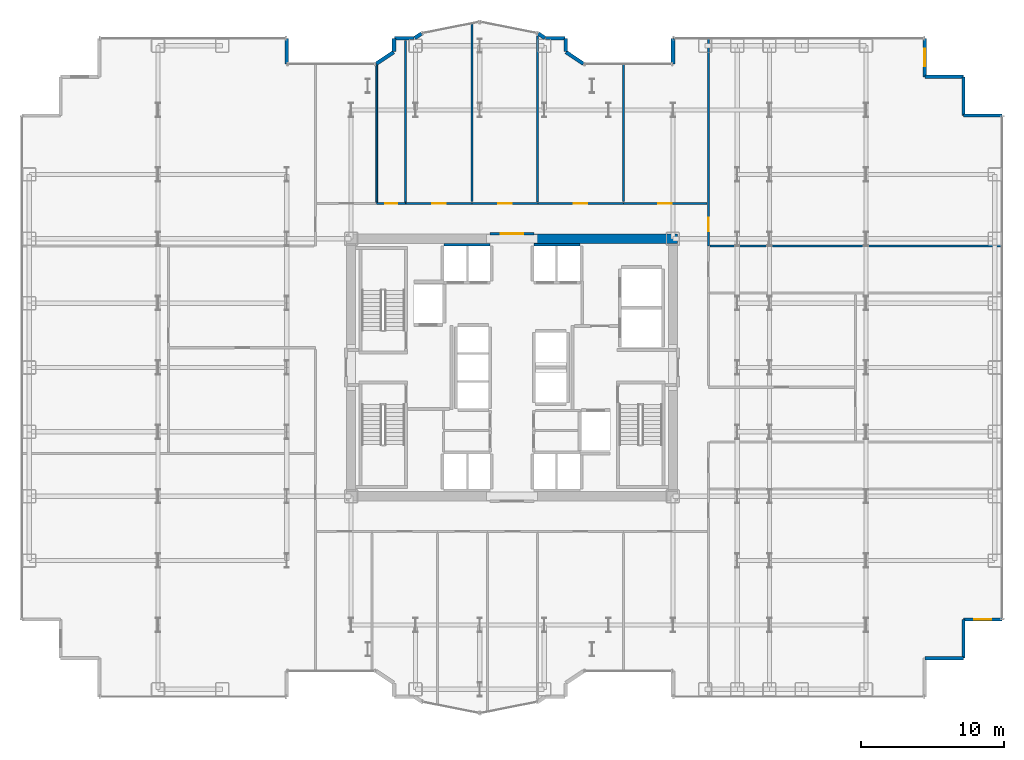
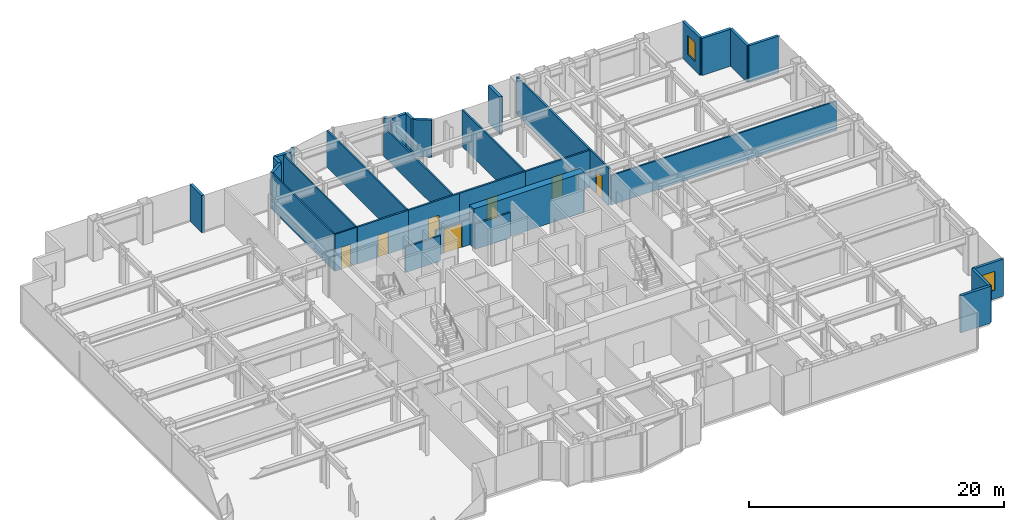
# One storey, part 24 of 26: 33 walls, 7 doors, 2 windows, 9 openings.
"""IFC4 building model written with IfcOpenShell, lengths in metres."""

from ifc_helpers import new_model, si_unit, direction, frame, frame_2d, origin, place, context, subcontext, project, spatial, rectangle, extrude, source, transform, mapped, material, layer, layer_set, type_object, element, fill, save


model = new_model("IFC4")

# Units and contexts
model_context = context("Model", 3, precision=1e-05, world=origin(), true_north=direction((0.0, 1.0)))
body_context = subcontext(model_context, "Body", "Model", "MODEL_VIEW")
ifc_project = project(units=[si_unit("LENGTHUNIT", "METRE"), si_unit("AREAUNIT", "SQUARE_METRE"), si_unit("VOLUMEUNIT", "CUBIC_METRE"), si_unit("PLANEANGLEUNIT", "RADIAN"), si_unit("MASSUNIT", "GRAM", prefix="KILO")], contexts=[model_context])

# Site, building, storey
site_placement = place(None, origin())
site = spatial("IfcSite", under=ifc_project, at=site_placement, CompositionType="ELEMENT")
building_placement = place(site_placement, origin())
building = spatial("IfcBuilding", under=site, at=building_placement, Name="Nefas-Gora Pilgrimage Tower", CompositionType="ELEMENT")
storey_placement = place(building_placement, frame((0.0, 0.0, 59.60009765625)))
storey = spatial("IfcBuildingStorey", under=building, at=storey_placement, Name="L13", CompositionType="ELEMENT", Elevation=59.60009765625)

# Walls
ifc_material_1 = material(Name="Concrete C60/75", Category="concrete")
ifc_layer_1 = layer(ifc_material_1, 0.64990234375)
ifc_layer_set_1 = layer_set([ifc_layer_1], Name="Concrete C60/75")
wall_type_1 = type_object("IfcWallType", Name="SW-CORE-650", PredefinedType="SHEAR", material=ifc_layer_set_1)
shared_shape_1 = source(origin(), body_context, "Body", "SweptSolid", [
    extrude(rectangle(XDim=10.02490234375, YDim=0.64990234375, at=frame_2d((5.012451171875, 0.0))), origin(), (0.0, 0.0, 1.0), 3.7998046875),
])
wall_1_placement = place(storey_placement, frame((1.550048828125, 9.0, 0.0), z_axis=(0.0, 0.0, 1.0), x_axis=(1.0, 0.0, 0.0)))
element("IfcWall", 1, at=wall_1_placement, inside=storey, type_object=wall_type_1, Name="L13 Core Shear Wall N-East", PredefinedType="SHEAR", context=body_context, shape_type="MappedRepresentation", body=[
    mapped(shared_shape_1, transform((0.0, 0.0, 0.0), x_axis=(1.0, 0.0, 0.0), y_axis=(0.0, 1.0, 0.0), z_axis=(0.0, 0.0, 1.0), scale=1.0)),
])
ifc_material_2 = material(Name="Precast concrete C40/50", Category="concrete")
ifc_layer_2 = layer(ifc_material_2, 0.260009765625)
ifc_layer_set_2 = layer_set([ifc_layer_2], Name="Precast concrete C40/50")
wall_type_2 = type_object("IfcWallType", Name="EW-PORTAL-260", PredefinedType="SOLIDWALL", material=ifc_layer_set_2)
shared_shape_2 = source(origin(), body_context, "Body", "SweptSolid", [
    extrude(rectangle(XDim=1.800048828125, YDim=0.260009765625, at=frame_2d((0.89990234375, 0.0))), origin(), (0.0, 0.0, 1.0), 3.5498046875),
])
for number, where, z_axis, x_axis, name in (
    (2, (11.25, 23.02001953125, 0.0), (0.0, 0.0, 1.0), (0.0, -1.0, 0.0), "L13 Lobe Shoulder Precast Spandrel Pier 10"),
    (3, (-15.75, 21.219970703125, 0.0), (0.0, 0.0, 1.0), (0.0, 1.0, 0.0), "L13 Lobe Shoulder Precast Spandrel Pier 19"),
):
    element("IfcWall", number, at=place(storey_placement, frame(where, z_axis=z_axis, x_axis=x_axis)), inside=storey, type_object=wall_type_2, Name=name, PredefinedType="SOLIDWALL", context=body_context, shape_type="MappedRepresentation", body=[
        mapped(shared_shape_2, transform((0.0, 0.0, 0.0), x_axis=(1.0, 0.0, 0.0), y_axis=(0.0, 1.0, 0.0), z_axis=(0.0, 0.0, 1.0), scale=1.0)),
    ])
ifc_material_3 = material(Name="Precast concrete C45/55", Category="concrete")
ifc_layer_3 = layer(ifc_material_3, 0.239990234375)
ifc_layer_set_3 = layer_set([ifc_layer_3], Name="Precast concrete C45/55")
wall_type_3 = type_object("IfcWallType", Name="EW-SERR-240", PredefinedType="SHEAR", material=ifc_layer_set_3)
shared_shape_3 = source(origin(), body_context, "Body", "SweptSolid", [
    extrude(rectangle(XDim=2.699951171875, YDim=0.239990234375, at=frame_2d((1.35009765625, 0.0))), origin(), (0.0, 0.0, 1.0), 3.5498046875),
])
for number, where, z_axis, x_axis, name in (
    (4, (28.8701171875, -20.320068359375, 0.0), (0.0, 0.0, 1.0), (1.0, 0.0, 0.0), "L13 Serrated Corner Shear Pier Wall 3"),
    (5, (31.570068359375, -20.320068359375, 0.0), (0.0, 0.0, 1.0), (0.0, 1.0, 0.0), "L13 Serrated Corner Shear Pier Wall 4"),
):
    element("IfcWall", number, at=place(storey_placement, frame(where, z_axis=z_axis, x_axis=x_axis)), inside=storey, type_object=wall_type_3, Name=name, PredefinedType="SHEAR", context=body_context, shape_type="MappedRepresentation", body=[
        mapped(shared_shape_3, transform((0.0, 0.0, 0.0), x_axis=(1.0, 0.0, 0.0), y_axis=(0.0, 1.0, 0.0), z_axis=(0.0, 0.0, 1.0), scale=1.0)),
    ])

# Wall, opening, window
wall_2_placement = place(storey_placement, frame((31.570068359375, -17.6201171875, 0.0), z_axis=(0.0, 0.0, 1.0), x_axis=(1.0, 0.0, 0.0)))
wall_2 = element("IfcWall", 6, at=wall_2_placement, inside=storey, type_object=wall_type_3, Name="L13 Serrated Corner Shear Pier Wall 5", PredefinedType="SHEAR", context=body_context, shape_type="MappedRepresentation", body=[
    mapped(shared_shape_3, transform((0.0, 0.0, 0.0), x_axis=(1.0, 0.0, 0.0), y_axis=(0.0, 1.0, 0.0), z_axis=(0.0, 0.0, 1.0), scale=1.0)),
])
opening_1_placement = place(wall_2_placement, frame((0.75, 0.0, 0.85009765625)))
opening_1 = element("IfcOpeningElement", 7, at=opening_1_placement, cuts=wall_2, Name="Opening W-V1", PredefinedType="OPENING", context=body_context, shape_type="SweptSolid", body=[
    extrude(rectangle(XDim=1.199951171875, YDim=1.800048828125, at=frame_2d((0.60009765625, 0.89990234375))), frame((0.0, 0.1298828125, 0.0), z_axis=(0.0, -1.0, 0.0), x_axis=(1.0, 0.0, 0.0)), (0.0, 0.0, 1.0), 0.260009765625),
])
ifc_material_4 = material(Name="Dark ceramic-fritted operable aluminium-glass window", Category="aluminium")
window_type = type_object("IfcWindowType", Name="WIN-VENT-1200x1800", PartitioningType="SINGLE_PANEL", PredefinedType="WINDOW", material=ifc_material_4)
shared_shape_4 = source(origin(), body_context, "Body", "SweptSolid", [
    extrude(rectangle(XDim=1.199951171875, YDim=1.800048828125, at=frame_2d((0.60009765625, 0.89990234375))), frame((0.0, 0.030029296875, 0.0), z_axis=(0.0, -1.0, 0.0), x_axis=(1.0, 0.0, 0.0)), (0.0, 0.0, 1.0), 0.06005859375),
])
window_1_placement = place(opening_1_placement, origin())
window_1 = element("IfcWindow", 8, at=window_1_placement, inside=storey, type_object=window_type, Name="L13 Operable Parallel-Outswing Window 5", OverallHeight=1.800048828125, OverallWidth=1.199951171875, PartitioningType="SINGLE_PANEL", PredefinedType="WINDOW", context=body_context, shape_type="MappedRepresentation", body=[
    mapped(shared_shape_4, transform((0.0, 0.0, 0.0), x_axis=(1.0, 0.0, 0.0), y_axis=(0.0, 1.0, 0.0), z_axis=(0.0, 0.0, 1.0), scale=1.0)),
])
fill(opening_1, window_1)

# Walls
for number, where, z_axis, x_axis, name in (
    (9, (34.27001953125, 17.6201171875, 0.0), (0.0, 0.0, 1.0), (-1.0, 0.0, 0.0), "L13 Serrated Corner Shear Pier Wall 6"),
    (10, (31.570068359375, 17.6201171875, 0.0), (0.0, 0.0, 1.0), (0.0, 1.0, 0.0), "L13 Serrated Corner Shear Pier Wall 7"),
    (11, (31.570068359375, 20.320068359375, 0.0), (0.0, 0.0, 1.0), (-1.0, 0.0, 0.0), "L13 Serrated Corner Shear Pier Wall 8"),
):
    element("IfcWall", number, at=place(storey_placement, frame(where, z_axis=z_axis, x_axis=x_axis)), inside=storey, type_object=wall_type_3, Name=name, PredefinedType="SHEAR", context=body_context, shape_type="MappedRepresentation", body=[
        mapped(shared_shape_3, transform((0.0, 0.0, 0.0), x_axis=(1.0, 0.0, 0.0), y_axis=(0.0, 1.0, 0.0), z_axis=(0.0, 0.0, 1.0), scale=1.0)),
    ])

# Wall, opening, window
wall_3_placement = place(storey_placement, frame((28.8701171875, 20.320068359375, 0.0), z_axis=(0.0, 0.0, 1.0), x_axis=(0.0, 1.0, 0.0)))
wall_3 = element("IfcWall", 12, at=wall_3_placement, inside=storey, type_object=wall_type_3, Name="L13 Serrated Corner Shear Pier Wall 9", PredefinedType="SHEAR", context=body_context, shape_type="MappedRepresentation", body=[
    mapped(shared_shape_3, transform((0.0, 0.0, 0.0), x_axis=(1.0, 0.0, 0.0), y_axis=(0.0, 1.0, 0.0), z_axis=(0.0, 0.0, 1.0), scale=1.0)),
])
opening_2_placement = place(wall_3_placement, frame((0.75, 0.0, 0.85009765625)))
opening_2 = element("IfcOpeningElement", 13, at=opening_2_placement, cuts=wall_3, Name="Opening W-V1", PredefinedType="OPENING", context=body_context, shape_type="SweptSolid", body=[
    extrude(rectangle(XDim=1.199951171875, YDim=1.800048828125, at=frame_2d((0.60009765625, 0.89990234375))), frame((0.0, 0.1298828125, 0.0), z_axis=(0.0, -1.0, 0.0), x_axis=(1.0, 0.0, 0.0)), (0.0, 0.0, 1.0), 0.260009765625),
])
window_2_placement = place(opening_2_placement, origin())
window_2 = element("IfcWindow", 14, at=window_2_placement, inside=storey, type_object=window_type, Name="L13 Operable Parallel-Outswing Window 9", OverallHeight=1.800048828125, OverallWidth=1.199951171875, PartitioningType="SINGLE_PANEL", PredefinedType="WINDOW", context=body_context, shape_type="MappedRepresentation", body=[
    mapped(shared_shape_4, transform((0.0, 0.0, 0.0), x_axis=(1.0, 0.0, 0.0), y_axis=(0.0, 1.0, 0.0), z_axis=(0.0, 0.0, 1.0), scale=1.0)),
])
fill(opening_2, window_2)

# Walls
shared_shape_5 = source(origin(), body_context, "Body", "SweptSolid", [
    extrude(rectangle(XDim=1.468994140625, YDim=0.260009765625, at=frame_2d((0.734375, 0.0))), origin(), (0.0, 0.0, 1.0), 3.5498046875),
])
for number, where, z_axis, x_axis, name in (
    (15, (4.99462890625, 21.235595703125, 0.0), (0.0, 0.0, 1.0), (-0.831461760506, 0.555581983884, 0.0), "L13 Lobe Shoulder Precast Spandrel Pier 11"),
    (16, (-8.273193359375, 22.0517578125, 0.0), (0.0, 0.0, 1.0), (-0.831461760506, -0.555581983884, 0.0), "L13 Lobe Shoulder Precast Spandrel Pier 18"),
):
    element("IfcWall", number, at=place(storey_placement, frame(where, z_axis=z_axis, x_axis=x_axis)), inside=storey, type_object=wall_type_2, Name=name, PredefinedType="SOLIDWALL", context=body_context, shape_type="MappedRepresentation", body=[
        mapped(shared_shape_5, transform((0.0, 0.0, 0.0), x_axis=(1.0, 0.0, 0.0), y_axis=(0.0, 1.0, 0.0), z_axis=(0.0, 0.0, 1.0), scale=1.0)),
    ])
shared_shape_6 = source(origin(), body_context, "Body", "SweptSolid", [
    extrude(rectangle(XDim=0.896728515625, YDim=0.260009765625, at=frame_2d((0.4482421875, 0.0))), origin(), (0.0, 0.0, 1.0), 3.5498046875),
])
for number, where, z_axis, x_axis, name in (
    (17, (3.75, 22.09521484375, 0.0), (0.0, 0.0, 1.0), (0.0, 1.0, 0.0), "L13 Lobe Shoulder Precast Spandrel Pier 12"),
    (18, (-8.25, 22.991943359375, 0.0), (0.0, 0.0, 1.0), (0.0, -1.0, 0.0), "L13 Lobe Shoulder Precast Spandrel Pier 17"),
):
    element("IfcWall", number, at=place(storey_placement, frame(where, z_axis=z_axis, x_axis=x_axis)), inside=storey, type_object=wall_type_2, Name=name, PredefinedType="SOLIDWALL", context=body_context, shape_type="MappedRepresentation", body=[
        mapped(shared_shape_6, transform((0.0, 0.0, 0.0), x_axis=(1.0, 0.0, 0.0), y_axis=(0.0, 1.0, 0.0), z_axis=(0.0, 0.0, 1.0), scale=1.0)),
    ])
shared_shape_7 = source(origin(), body_context, "Body", "SweptSolid", [
    extrude(rectangle(XDim=1.369873046875, YDim=0.260009765625, at=frame_2d((0.68505859375, 0.0))), origin(), (0.0, 0.0, 1.0), 3.5498046875),
])
for number, where, z_axis, x_axis, name in (
    (19, (3.721923828125, 23.02001953125, 0.0), (0.0, 0.0, 1.0), (-1.0, 0.0, 0.0), "L13 Lobe Shoulder Precast Spandrel Pier 13"),
    (20, (-6.85205078125, 23.02001953125, 0.0), (0.0, 0.0, 1.0), (-1.0, 0.0, 0.0), "L13 Lobe Shoulder Precast Spandrel Pier 16"),
):
    element("IfcWall", number, at=place(storey_placement, frame(where, z_axis=z_axis, x_axis=x_axis)), inside=storey, type_object=wall_type_2, Name=name, PredefinedType="SOLIDWALL", context=body_context, shape_type="MappedRepresentation", body=[
        mapped(shared_shape_7, transform((0.0, 0.0, 0.0), x_axis=(1.0, 0.0, 0.0), y_axis=(0.0, 1.0, 0.0), z_axis=(0.0, 0.0, 1.0), scale=1.0)),
    ])
shared_shape_8 = source(origin(), body_context, "Body", "SweptSolid", [
    extrude(rectangle(XDim=0.5654296875, YDim=0.260009765625, at=frame_2d((0.28271484375, 0.0))), origin(), (0.0, 0.0, 1.0), 3.5498046875),
])
for number, where, z_axis, x_axis, name in (
    (21, (2.30078125, 23.03564453125, 0.0), (0.0, 0.0, 1.0), (-0.831651492666, 0.555297933317, 0.0), "L13 Lobe Shoulder Precast Spandrel Pier 14"),
    (22, (-6.33056640625, 23.349609375, 0.0), (0.0, 0.0, 1.0), (-0.831651492666, -0.555297933317, 0.0), "L13 Lobe Shoulder Precast Spandrel Pier 15"),
):
    element("IfcWall", number, at=place(storey_placement, frame(where, z_axis=z_axis, x_axis=x_axis)), inside=storey, type_object=wall_type_2, Name=name, PredefinedType="SOLIDWALL", context=body_context, shape_type="MappedRepresentation", body=[
        mapped(shared_shape_8, transform((0.0, 0.0, 0.0), x_axis=(1.0, 0.0, 0.0), y_axis=(0.0, 1.0, 0.0), z_axis=(0.0, 0.0, 1.0), scale=1.0)),
    ])
ifc_material_5 = material(Name="Gypsum acoustic stud partition")
ifc_layer_4 = layer(ifc_material_5, 0.159912109375)
ifc_layer_set_4 = layer_set([ifc_layer_4], Name="Gypsum acoustic stud partition")
wall_type_4 = type_object("IfcWallType", Name="IW-CORR-160", PredefinedType="PARTITIONING", material=ifc_layer_set_4)
shared_shape_9 = source(origin(), body_context, "Body", "SweptSolid", [
    extrude(rectangle(XDim=3.199951171875, YDim=0.159912109375, at=frame_2d((1.60009765625, 0.0))), origin(), (0.0, 0.0, 1.0), 2.4248046875),
])
for number, where, z_axis, x_axis, name in (
    (23, (-1.550048828125, 8.580078125, 0.0), (0.0, 0.0, 1.0), (-1.0, 0.0, 0.0), "L13 Hoistway Wall PL1-W-N"),
    (24, (4.75, 8.580078125, 0.0), (0.0, 0.0, 1.0), (-1.0, 0.0, 0.0), "L13 Hoistway Wall PL1-E-N"),
):
    element("IfcWall", number, at=place(storey_placement, frame(where, z_axis=z_axis, x_axis=x_axis)), inside=storey, type_object=wall_type_4, Name=name, PredefinedType="PARTITIONING", context=body_context, shape_type="MappedRepresentation", body=[
        mapped(shared_shape_9, transform((0.0, 0.0, 0.0), x_axis=(1.0, 0.0, 0.0), y_axis=(0.0, 1.0, 0.0), z_axis=(0.0, 0.0, 1.0), scale=1.0)),
    ])

# Wall, opening, door
ifc_material_6 = material(Name="Moisture-resistant fire-rated gypsum partition")
ifc_layer_5 = layer(ifc_material_6, 0.1201171875)
ifc_layer_set_5 = layer_set([ifc_layer_5], Name="Moisture-resistant fire-rated gypsum partition")
wall_type_5 = type_object("IfcWallType", Name="IW-WET-120", PredefinedType="PLUMBINGWALL", material=ifc_layer_set_5)
shared_shape_10 = source(origin(), body_context, "Body", "SweptSolid", [
    extrude(rectangle(XDim=2.02001953125, YDim=0.1201171875, at=frame_2d((1.010009765625, 0.0))), origin(), (0.0, 0.0, 1.0), 3.534912109375),
])
wall_4_placement = place(storey_placement, frame((-9.4599609375, 11.469970703125, 0.0), z_axis=(0.0, 0.0, 1.0), x_axis=(1.0, 0.0, 0.0)))
wall_4 = element("IfcWall", 25, at=wall_4_placement, inside=storey, type_object=wall_type_5, Name="L13 Accessible Unisex WC Partition Wall 25", PredefinedType="PLUMBINGWALL", context=body_context, shape_type="MappedRepresentation", body=[
    mapped(shared_shape_10, transform((0.0, 0.0, 0.0), x_axis=(1.0, 0.0, 0.0), y_axis=(0.0, 1.0, 0.0), z_axis=(0.0, 0.0, 1.0), scale=1.0)),
])
opening_3_placement = place(wall_4_placement, frame((0.5849609375, 0.0, 0.0)))
opening_3 = element("IfcOpeningElement", 26, at=opening_3_placement, cuts=wall_4, Name="Opening ID-BT1", PredefinedType="OPENING", context=body_context, shape_type="SweptSolid", body=[
    extrude(rectangle(XDim=0.85009765625, YDim=2.10009765625, at=frame_2d((0.425048828125, 1.050048828125))), frame((0.0, 0.070068359375, 0.0), z_axis=(0.0, -1.0, 0.0), x_axis=(1.0, 0.0, 0.0)), (0.0, 0.0, 1.0), 0.14013671875),
])
ifc_material_7 = material(Name="Moisture-resistant fire-rated timber door", Category="wood")
door_type_1 = type_object("IfcDoorType", Name="DR-INT-BATH-850", OperationType="NOTDEFINED", PredefinedType="DOOR", material=ifc_material_7)
shared_shape_11 = source(origin(), body_context, "Body", "SweptSolid", [
    extrude(rectangle(XDim=0.85009765625, YDim=2.10009765625, at=frame_2d((0.425048828125, 1.050048828125))), frame((0.0, 0.02490234375, 0.0), z_axis=(0.0, -1.0, 0.0), x_axis=(1.0, 0.0, 0.0)), (0.0, 0.0, 1.0), 0.050048828125),
])
door_1_placement = place(opening_3_placement, origin())
door_1 = element("IfcDoor", 27, at=door_1_placement, inside=storey, type_object=door_type_1, Name="L13 Accessible Unisex WC Door 10", OperationType="SINGLE_SWING_RIGHT", OverallHeight=2.10009765625, OverallWidth=0.85009765625, PredefinedType="DOOR", context=body_context, shape_type="MappedRepresentation", body=[
    mapped(shared_shape_11, transform((0.0, 0.0, 0.0), x_axis=(1.0, 0.0, 0.0), y_axis=(0.0, 1.0, 0.0), z_axis=(0.0, 0.0, 1.0), scale=1.0)),
])
fill(opening_3, door_1)

# Walls
shared_shape_12 = source(origin(), body_context, "Body", "SweptSolid", [
    extrude(rectangle(XDim=11.280029296875, YDim=0.1201171875, at=frame_2d((5.64013671875, 0.0))), origin(), (0.0, 0.0, 1.0), 3.534912109375),
])
wall_5_placement = place(storey_placement, frame((-7.449951171875, 11.570068359375, 0.0), z_axis=(0.0, 0.0, 1.0), x_axis=(0.0, 1.0, 0.0)))
element("IfcWall", 28, at=wall_5_placement, inside=storey, type_object=wall_type_5, Name="L13 Accessible Unisex WC Partition Wall 26", PredefinedType="PLUMBINGWALL", context=body_context, shape_type="MappedRepresentation", body=[
    mapped(shared_shape_12, transform((0.0, 0.0, 0.0), x_axis=(1.0, 0.0, 0.0), y_axis=(0.0, 1.0, 0.0), z_axis=(0.0, 0.0, 1.0), scale=1.0)),
])
shared_shape_13 = source(origin(), body_context, "Body", "SweptSolid", [
    extrude(rectangle(XDim=9.586669921875, YDim=0.1201171875, at=frame_2d((4.79345703125, 0.0))), origin(), (0.0, 0.0, 1.0), 3.534912109375),
])
wall_6_placement = place(storey_placement, frame((-9.449951171875, 11.570068359375, 0.0), z_axis=(0.0, 0.0, 1.0), x_axis=(0.0, 1.0, 0.0)))
element("IfcWall", 29, at=wall_6_placement, inside=storey, type_object=wall_type_5, Name="L13 Accessible Unisex WC Partition Wall 27", PredefinedType="PLUMBINGWALL", context=body_context, shape_type="MappedRepresentation", body=[
    mapped(shared_shape_13, transform((0.0, 0.0, 0.0), x_axis=(1.0, 0.0, 0.0), y_axis=(0.0, 1.0, 0.0), z_axis=(0.0, 0.0, 1.0), scale=1.0)),
])

# Wall, opening, door
shared_shape_14 = source(origin(), body_context, "Body", "SweptSolid", [
    extrude(rectangle(XDim=14.544921875, YDim=0.159912109375, at=frame_2d((7.2724609375, 0.0))), origin(), (0.0, 0.0, 1.0), 3.534912109375),
])
wall_7_placement = place(storey_placement, frame((13.739990234375, 8.4951171875, 0.0), z_axis=(0.0, 0.0, 1.0), x_axis=(0.0, 1.0, 0.0)))
wall_7 = element("IfcWall", 30, at=wall_7_placement, inside=storey, type_object=wall_type_4, Name="L13 Pilgrim Contemplative Lounge Partition Wall 45", PredefinedType="PARTITIONING", context=body_context, shape_type="MappedRepresentation", body=[
    mapped(shared_shape_14, transform((0.0, 0.0, 0.0), x_axis=(1.0, 0.0, 0.0), y_axis=(0.0, 1.0, 0.0), z_axis=(0.0, 0.0, 1.0), scale=1.0)),
])
opening_4_placement = place(wall_7_placement, frame((1.032470703125, 0.0, 0.0)))
opening_4 = element("IfcOpeningElement", 31, at=opening_4_placement, cuts=wall_7, Name="Opening ID-GR1", PredefinedType="OPENING", context=body_context, shape_type="SweptSolid", body=[
    extrude(rectangle(XDim=0.949951171875, YDim=2.10009765625, at=frame_2d((0.47509765625, 1.050048828125))), frame((0.0, 0.08984375, 0.0), z_axis=(0.0, -1.0, 0.0), x_axis=(1.0, 0.0, 0.0)), (0.0, 0.0, 1.0), 0.179931640625),
])
ifc_material_8 = material(Name="Solid core oak fire-rated guest entrance door")
door_type_2 = type_object("IfcDoorType", Name="DR-INT-GUEST-950", OperationType="NOTDEFINED", PredefinedType="DOOR", material=ifc_material_8)
shared_shape_15 = source(origin(), body_context, "Body", "SweptSolid", [
    extrude(rectangle(XDim=0.949951171875, YDim=2.10009765625, at=frame_2d((0.47509765625, 1.050048828125))), frame((0.0, 0.02490234375, 0.0), z_axis=(0.0, -1.0, 0.0), x_axis=(1.0, 0.0, 0.0)), (0.0, 0.0, 1.0), 0.050048828125),
])
door_2_placement = place(opening_4_placement, origin())
door_2 = element("IfcDoor", 32, at=door_2_placement, inside=storey, type_object=door_type_2, Name="L13 Pilgrim Contemplative Lounge Door 20", OperationType="SINGLE_SWING_RIGHT", OverallHeight=2.10009765625, OverallWidth=0.949951171875, PredefinedType="DOOR", context=body_context, shape_type="MappedRepresentation", body=[
    mapped(shared_shape_15, transform((0.0, 0.0, 0.0), x_axis=(1.0, 0.0, 0.0), y_axis=(0.0, 1.0, 0.0), z_axis=(0.0, 0.0, 1.0), scale=1.0)),
])
fill(opening_4, door_2)

# Walls
ifc_material_9 = material(Name="Gypsum twin-stud partition")
ifc_layer_6 = layer(ifc_material_9, 0.139892578125)
ifc_layer_set_6 = layer_set([ifc_layer_6], Name="Gypsum twin-stud partition")
wall_type_6 = type_object("IfcWallType", Name="IW-UNIT-140", PredefinedType="PARTITIONING", material=ifc_layer_set_6)
shared_shape_16 = source(origin(), body_context, "Body", "SweptSolid", [
    extrude(rectangle(XDim=9.64990234375, YDim=0.139892578125, at=frame_2d((4.824951171875, 0.0))), origin(), (0.0, 0.0, 1.0), 3.534912109375),
])
wall_8_placement = place(storey_placement, frame((7.794921875, 11.590087890625, 0.0), z_axis=(0.0, 0.0, 1.0), x_axis=(0.0, 1.0, 0.0)))
element("IfcWall", 33, at=wall_8_placement, inside=storey, type_object=wall_type_6, Name="L13 Pilgrim Contemplative Lounge Partition Wall 52", PredefinedType="PARTITIONING", context=body_context, shape_type="MappedRepresentation", body=[
    mapped(shared_shape_16, transform((0.0, 0.0, 0.0), x_axis=(1.0, 0.0, 0.0), y_axis=(0.0, 1.0, 0.0), z_axis=(0.0, 0.0, 1.0), scale=1.0)),
])
shared_shape_17 = source(origin(), body_context, "Body", "SweptSolid", [
    extrude(rectangle(XDim=20.429931640625, YDim=0.139892578125, at=frame_2d((10.21484375, 0.0))), origin(), (0.0, 0.0, 1.0), 2.824951171875),
])
wall_9_placement = place(storey_placement, frame((13.860107421875, 8.4951171875, 0.0), z_axis=(0.0, 0.0, 1.0), x_axis=(1.0, 0.0, 0.0)))
element("IfcWall", 34, at=wall_9_placement, inside=storey, type_object=wall_type_6, Name="L13 Pilgrim Contemplative Lounge Partition Wall 44", PredefinedType="PARTITIONING", context=body_context, shape_type="MappedRepresentation", body=[
    mapped(shared_shape_17, transform((0.0, 0.0, 0.0), x_axis=(1.0, 0.0, 0.0), y_axis=(0.0, 1.0, 0.0), z_axis=(0.0, 0.0, 1.0), scale=1.0)),
])

# Wall, opening, door
shared_shape_18 = source(origin(), body_context, "Body", "SweptSolid", [
    extrude(rectangle(XDim=3.08984375, YDim=0.159912109375, at=frame_2d((1.544921875, 0.0))), origin(), (0.0, 0.0, 1.0), 2.4248046875),
])
wall_10_placement = place(storey_placement, frame((-1.544921875, 9.35009765625, 0.0), z_axis=(0.0, 0.0, 1.0), x_axis=(1.0, 0.0, 0.0)))
wall_10 = element("IfcWall", 35, at=wall_10_placement, inside=storey, type_object=wall_type_4, Name="L13 Central Lift Lobby North Portal Wall 13", PredefinedType="PARTITIONING", context=body_context, shape_type="MappedRepresentation", body=[
    mapped(shared_shape_18, transform((0.0, 0.0, 0.0), x_axis=(1.0, 0.0, 0.0), y_axis=(0.0, 1.0, 0.0), z_axis=(0.0, 0.0, 1.0), scale=1.0)),
])
opening_5_placement = place(wall_10_placement, frame((0.7451171875, 0.0, 0.0)))
opening_5 = element("IfcOpeningElement", 36, at=opening_5_placement, cuts=wall_10, Name="Opening ID-HL1", PredefinedType="OPENING", context=body_context, shape_type="SweptSolid", body=[
    extrude(rectangle(XDim=1.60009765625, YDim=2.300048828125, at=frame_2d((0.800048828125, 1.14990234375))), frame((0.0, 0.08984375, 0.0), z_axis=(0.0, -1.0, 0.0), x_axis=(1.0, 0.0, 0.0)), (0.0, 0.0, 1.0), 0.179931640625),
])
ifc_material_10 = material(Name="Double acoustic timber assembly hall door", Category="wood")
door_type_3 = type_object("IfcDoorType", Name="DR-INT-HALL-1600", OperationType="DOUBLE_DOOR_SINGLE_SWING", PredefinedType="DOOR", material=ifc_material_10)
shared_shape_19 = source(origin(), body_context, "Body", "SweptSolid", [
    extrude(rectangle(XDim=1.60009765625, YDim=2.300048828125, at=frame_2d((0.800048828125, 1.14990234375))), frame((0.0, 0.02490234375, 0.0), z_axis=(0.0, -1.0, 0.0), x_axis=(1.0, 0.0, 0.0)), (0.0, 0.0, 1.0), 0.050048828125),
])
door_3_placement = place(opening_5_placement, origin())
door_3 = element("IfcDoor", 37, at=door_3_placement, inside=storey, type_object=door_type_3, Name="L13 Central Lift Lobby North Portal Door 4", OperationType="DOUBLE_DOOR_SINGLE_SWING", OverallHeight=2.300048828125, OverallWidth=1.60009765625, PredefinedType="DOOR", context=body_context, shape_type="MappedRepresentation", body=[
    mapped(shared_shape_19, transform((0.0, 0.0, 0.0), x_axis=(1.0, 0.0, 0.0), y_axis=(0.0, 1.0, 0.0), z_axis=(0.0, 0.0, 1.0), scale=1.0)),
])
fill(opening_5, door_3)

shared_shape_20 = source(origin(), body_context, "Body", "SweptSolid", [
    extrude(rectangle(XDim=4.60498046875, YDim=0.159912109375, at=frame_2d((2.302490234375, 0.0))), origin(), (0.0, 0.0, 1.0), 3.534912109375),
])
wall_11_placement = place(storey_placement, frame((-7.405029296875, 11.469970703125, 0.0), z_axis=(0.0, 0.0, 1.0), x_axis=(1.0, 0.0, 0.0)))
wall_11 = element("IfcWall", 38, at=wall_11_placement, inside=storey, type_object=wall_type_4, Name="L13 Pilgrim Contemplative Lounge Partition Wall 47", PredefinedType="PARTITIONING", context=body_context, shape_type="MappedRepresentation", body=[
    mapped(shared_shape_20, transform((0.0, 0.0, 0.0), x_axis=(1.0, 0.0, 0.0), y_axis=(0.0, 1.0, 0.0), z_axis=(0.0, 0.0, 1.0), scale=1.0)),
])
opening_6_placement = place(wall_11_placement, frame((1.827392578125, 0.0, 0.0)))
opening_6 = element("IfcOpeningElement", 39, at=opening_6_placement, cuts=wall_11, Name="Opening ID-GR1", PredefinedType="OPENING", context=body_context, shape_type="SweptSolid", body=[
    extrude(rectangle(XDim=0.949951171875, YDim=2.10009765625, at=frame_2d((0.47509765625, 1.050048828125))), frame((0.0, 0.08984375, 0.0), z_axis=(0.0, -1.0, 0.0), x_axis=(1.0, 0.0, 0.0)), (0.0, 0.0, 1.0), 0.179931640625),
])
door_4_placement = place(opening_6_placement, origin())
door_4 = element("IfcDoor", 40, at=door_4_placement, inside=storey, type_object=door_type_2, Name="L13 Pilgrim Contemplative Lounge Door 22", OperationType="SINGLE_SWING_RIGHT", OverallHeight=2.10009765625, OverallWidth=0.949951171875, PredefinedType="DOOR", context=body_context, shape_type="MappedRepresentation", body=[
    mapped(shared_shape_15, transform((0.0, 0.0, 0.0), x_axis=(1.0, 0.0, 0.0), y_axis=(0.0, 1.0, 0.0), z_axis=(0.0, 0.0, 1.0), scale=1.0)),
])
fill(opening_6, door_4)

wall_12_placement = place(storey_placement, frame((-2.800048828125, 11.469970703125, 0.0), z_axis=(0.0, 0.0, 1.0), x_axis=(1.0, 0.0, 0.0)))
wall_12 = element("IfcWall", 41, at=wall_12_placement, inside=storey, type_object=wall_type_4, Name="L13 Pilgrim Contemplative Lounge Partition Wall 49", PredefinedType="PARTITIONING", context=body_context, shape_type="MappedRepresentation", body=[
    mapped(shared_shape_20, transform((0.0, 0.0, 0.0), x_axis=(1.0, 0.0, 0.0), y_axis=(0.0, 1.0, 0.0), z_axis=(0.0, 0.0, 1.0), scale=1.0)),
])
opening_7_placement = place(wall_12_placement, frame((1.827392578125, 0.0, 0.0)))
opening_7 = element("IfcOpeningElement", 42, at=opening_7_placement, cuts=wall_12, Name="Opening ID-GR1", PredefinedType="OPENING", context=body_context, shape_type="SweptSolid", body=[
    extrude(rectangle(XDim=0.949951171875, YDim=2.10009765625, at=frame_2d((0.47509765625, 1.050048828125))), frame((0.0, 0.08984375, 0.0), z_axis=(0.0, -1.0, 0.0), x_axis=(1.0, 0.0, 0.0)), (0.0, 0.0, 1.0), 0.179931640625),
])
door_5_placement = place(opening_7_placement, origin())
door_5 = element("IfcDoor", 43, at=door_5_placement, inside=storey, type_object=door_type_2, Name="L13 Pilgrim Contemplative Lounge Door 23", OperationType="SINGLE_SWING_LEFT", OverallHeight=2.10009765625, OverallWidth=0.949951171875, PredefinedType="DOOR", context=body_context, shape_type="MappedRepresentation", body=[
    mapped(shared_shape_15, transform((0.0, 0.0, 0.0), x_axis=(1.0, 0.0, 0.0), y_axis=(0.0, 1.0, 0.0), z_axis=(0.0, 0.0, 1.0), scale=1.0)),
])
fill(opening_7, door_5)

# Walls
shared_shape_21 = source(origin(), body_context, "Body", "SweptSolid", [
    extrude(rectangle(XDim=12.4951171875, YDim=0.139892578125, at=frame_2d((6.24755859375, 0.0))), origin(), (0.0, 0.0, 1.0), 3.534912109375),
])
wall_13_placement = place(storey_placement, frame((-2.81005859375, 11.590087890625, 0.0), z_axis=(0.0, 0.0, 1.0), x_axis=(0.0, 1.0, 0.0)))
element("IfcWall", 44, at=wall_13_placement, inside=storey, type_object=wall_type_6, Name="L13 Pilgrim Contemplative Lounge Partition Wall 48", PredefinedType="PARTITIONING", context=body_context, shape_type="MappedRepresentation", body=[
    mapped(shared_shape_21, transform((0.0, 0.0, 0.0), x_axis=(1.0, 0.0, 0.0), y_axis=(0.0, 1.0, 0.0), z_axis=(0.0, 0.0, 1.0), scale=1.0)),
])
shared_shape_22 = source(origin(), body_context, "Body", "SweptSolid", [
    extrude(rectangle(XDim=11.581298828125, YDim=0.139892578125, at=frame_2d((5.79052734375, 0.0))), origin(), (0.0, 0.0, 1.0), 2.824951171875),
])
wall_14_placement = place(storey_placement, frame((1.794921875, 11.590087890625, 0.0), z_axis=(0.0, 0.0, 1.0), x_axis=(0.0, 1.0, 0.0)))
element("IfcWall", 45, at=wall_14_placement, inside=storey, type_object=wall_type_6, Name="L13 Pilgrim Contemplative Lounge Partition Wall 50", PredefinedType="PARTITIONING", context=body_context, shape_type="MappedRepresentation", body=[
    mapped(shared_shape_22, transform((0.0, 0.0, 0.0), x_axis=(1.0, 0.0, 0.0), y_axis=(0.0, 1.0, 0.0), z_axis=(0.0, 0.0, 1.0), scale=1.0)),
])

# Wall, opening, door
shared_shape_23 = source(origin(), body_context, "Body", "SweptSolid", [
    extrude(rectangle(XDim=6.010009765625, YDim=0.159912109375, at=frame_2d((3.0048828125, 0.0))), origin(), (0.0, 0.0, 1.0), 3.534912109375),
])
wall_15_placement = place(storey_placement, frame((1.794921875, 11.469970703125, 0.0), z_axis=(0.0, 0.0, 1.0), x_axis=(1.0, 0.0, 0.0)))
wall_15 = element("IfcWall", 46, at=wall_15_placement, inside=storey, type_object=wall_type_4, Name="L13 Pilgrim Contemplative Lounge Partition Wall 51", PredefinedType="PARTITIONING", context=body_context, shape_type="MappedRepresentation", body=[
    mapped(shared_shape_23, transform((0.0, 0.0, 0.0), x_axis=(1.0, 0.0, 0.0), y_axis=(0.0, 1.0, 0.0), z_axis=(0.0, 0.0, 1.0), scale=1.0)),
])
opening_8_placement = place(wall_15_placement, frame((2.530029296875, 0.0, 0.0)))
opening_8 = element("IfcOpeningElement", 47, at=opening_8_placement, cuts=wall_15, Name="Opening ID-GR1", PredefinedType="OPENING", context=body_context, shape_type="SweptSolid", body=[
    extrude(rectangle(XDim=0.949951171875, YDim=2.10009765625, at=frame_2d((0.47509765625, 1.050048828125))), frame((0.0, 0.08984375, 0.0), z_axis=(0.0, -1.0, 0.0), x_axis=(1.0, 0.0, 0.0)), (0.0, 0.0, 1.0), 0.179931640625),
])
door_6_placement = place(opening_8_placement, origin())
door_6 = element("IfcDoor", 48, at=door_6_placement, inside=storey, type_object=door_type_2, Name="L13 Pilgrim Contemplative Lounge Door 24", OperationType="SINGLE_SWING_RIGHT", OverallHeight=2.10009765625, OverallWidth=0.949951171875, PredefinedType="DOOR", context=body_context, shape_type="MappedRepresentation", body=[
    mapped(shared_shape_15, transform((0.0, 0.0, 0.0), x_axis=(1.0, 0.0, 0.0), y_axis=(0.0, 1.0, 0.0), z_axis=(0.0, 0.0, 1.0), scale=1.0)),
])
fill(opening_8, door_6)

shared_shape_24 = source(origin(), body_context, "Body", "SweptSolid", [
    extrude(rectangle(XDim=5.8251953125, YDim=0.159912109375, at=frame_2d((2.91259765625, 0.0))), origin(), (0.0, 0.0, 1.0), 3.534912109375),
])
wall_16_placement = place(storey_placement, frame((7.794921875, 11.469970703125, 0.0), z_axis=(0.0, 0.0, 1.0), x_axis=(1.0, 0.0, 0.0)))
wall_16 = element("IfcWall", 49, at=wall_16_placement, inside=storey, type_object=wall_type_4, Name="L13 Pilgrim Contemplative Lounge Partition Wall 53", PredefinedType="PARTITIONING", context=body_context, shape_type="MappedRepresentation", body=[
    mapped(shared_shape_24, transform((0.0, 0.0, 0.0), x_axis=(1.0, 0.0, 0.0), y_axis=(0.0, 1.0, 0.0), z_axis=(0.0, 0.0, 1.0), scale=1.0)),
])
opening_9_placement = place(wall_16_placement, frame((2.4375, 0.0, 0.0)))
opening_9 = element("IfcOpeningElement", 50, at=opening_9_placement, cuts=wall_16, Name="Opening ID-GR1", PredefinedType="OPENING", context=body_context, shape_type="SweptSolid", body=[
    extrude(rectangle(XDim=0.949951171875, YDim=2.10009765625, at=frame_2d((0.47509765625, 1.050048828125))), frame((0.0, 0.08984375, 0.0), z_axis=(0.0, -1.0, 0.0), x_axis=(1.0, 0.0, 0.0)), (0.0, 0.0, 1.0), 0.179931640625),
])
door_7_placement = place(opening_9_placement, origin())
door_7 = element("IfcDoor", 51, at=door_7_placement, inside=storey, type_object=door_type_2, Name="L13 Pilgrim Contemplative Lounge Door 25", OperationType="SINGLE_SWING_LEFT", OverallHeight=2.10009765625, OverallWidth=0.949951171875, PredefinedType="DOOR", context=body_context, shape_type="MappedRepresentation", body=[
    mapped(shared_shape_15, transform((0.0, 0.0, 0.0), x_axis=(1.0, 0.0, 0.0), y_axis=(0.0, 1.0, 0.0), z_axis=(0.0, 0.0, 1.0), scale=1.0)),
])
fill(opening_9, door_7)

save(model, "model.ifc")
